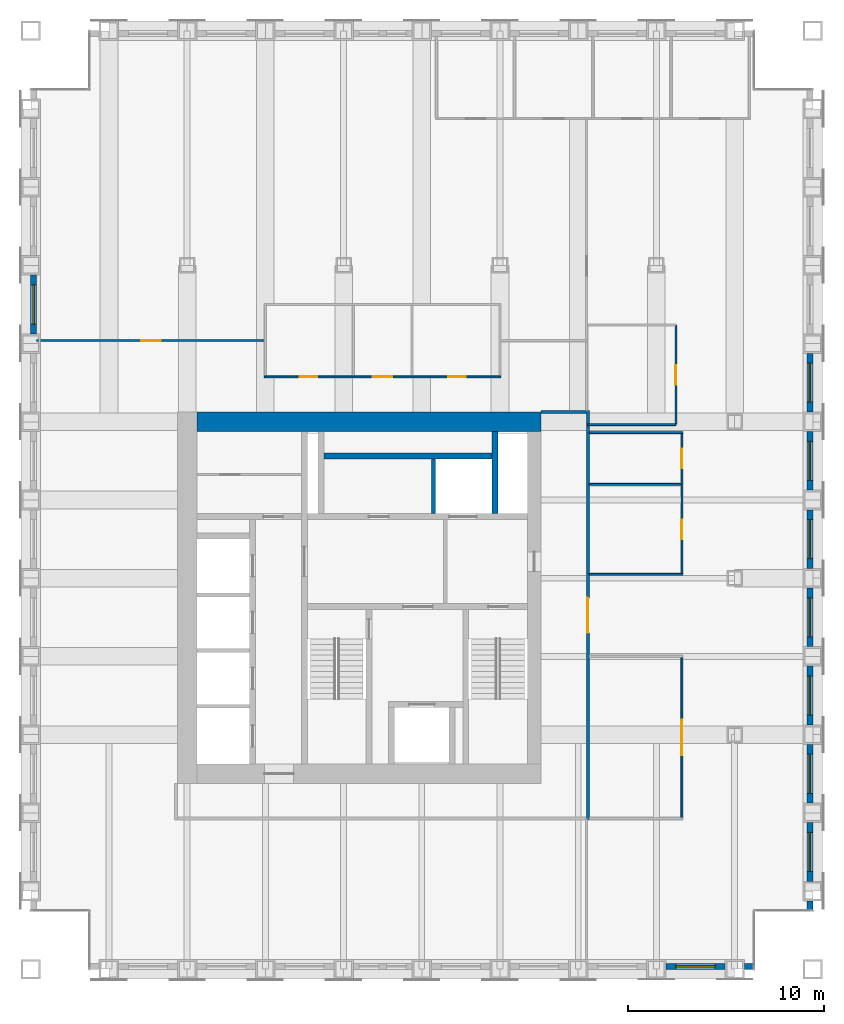
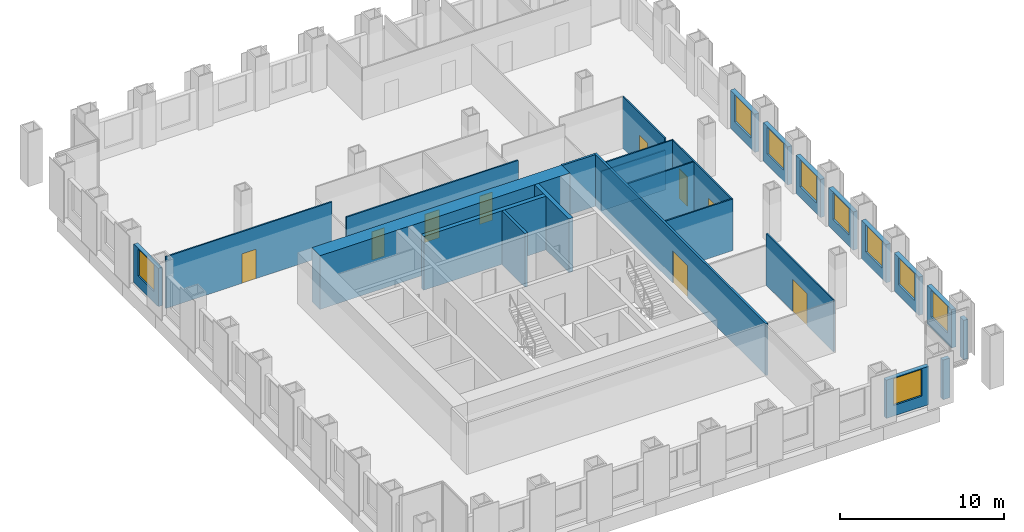
# One storey, part 10 of 13: 26 walls, 9 doors, 9 windows, 18 openings.
"""IFC4 building model written with IfcOpenShell, lengths in metres."""

from ifc_helpers import new_model, si_unit, direction, frame, frame_2d, origin, place, context, subcontext, project, spatial, rectangle, extrude, material, layer, layer_set, type_object, element, fill, save


model = new_model("IFC4")

# Units and contexts
model_context = context("Model", 3, precision=1e-05, world=origin(), true_north=direction((0.0, 1.0)))
body_context = subcontext(model_context, "Body", "Model", "MODEL_VIEW")
ifc_project = project(units=[si_unit("LENGTHUNIT", "METRE"), si_unit("AREAUNIT", "SQUARE_METRE"), si_unit("VOLUMEUNIT", "CUBIC_METRE"), si_unit("PLANEANGLEUNIT", "RADIAN"), si_unit("MASSUNIT", "GRAM", prefix="KILO")], contexts=[model_context])

# Site, building, storey
site_placement = place(None, origin())
site = spatial("IfcSite", under=ifc_project, at=site_placement, CompositionType="ELEMENT")
building_placement = place(site_placement, origin())
building = spatial("IfcBuilding", under=site, at=building_placement, Name="Rimbunsela Tower", CompositionType="ELEMENT")
storey_placement = place(building_placement, frame((0.0, 0.0, 218.199951171875)))
storey = spatial("IfcBuildingStorey", under=building, at=storey_placement, Name="L52", CompositionType="ELEMENT", Elevation=218.199951171875)

# Walls
ifc_material_1 = material(Name="Concrete fc' 80 MPa", Category="concrete")
ifc_layer_1 = layer(ifc_material_1, 0.300048828125)
ifc_layer_set_1 = layer_set([ifc_layer_1], Name="Core internal wall 300")
wall_type_1 = type_object("IfcWallType", Name="Core internal wall 300", PredefinedType="SHEAR", material=ifc_layer_set_1)
wall_1_placement = place(storey_placement, frame((33.75, 31.300048828125, -0.14990234375), z_axis=(0.0, 0.0, 1.0), x_axis=(0.0, 1.0, 0.0)))
element("IfcWall", 1, at=wall_1_placement, inside=storey, type_object=wall_type_1, Name="Riser wall", PredefinedType="SHEAR", context=body_context, shape_type="SweptSolid", body=[
    extrude(rectangle(XDim=4.199951171875, YDim=0.300048828125, at=frame_2d((2.10009765625, 0.0))), origin(), (0.0, 0.0, 1.0), 4.0),
])
wall_2_placement = place(storey_placement, frame((25.0, 34.25, -0.14990234375), z_axis=(0.0, 0.0, 1.0), x_axis=(1.0, 0.0, 0.0)))
element("IfcWall", 2, at=wall_2_placement, inside=storey, type_object=wall_type_1, Name="Lift shaft rear north", PredefinedType="SHEAR", context=body_context, shape_type="SweptSolid", body=[
    extrude(rectangle(XDim=8.60009765625, YDim=0.300048828125, at=frame_2d((4.300048828125, 0.0))), origin(), (0.0, 0.0, 1.0), 4.0),
])
ifc_material_2 = material(Name="Concrete fc' 80 MPa", Category="concrete")
ifc_layer_2 = layer(ifc_material_2, 1.0)
ifc_layer_set_2 = layer_set([ifc_layer_2], Name="Core wall 1000")
wall_type_2 = type_object("IfcWallType", Name="Core wall 1000", PredefinedType="SHEAR", material=ifc_layer_set_2)
wall_3_placement = place(storey_placement, frame((18.5, 36.0, -0.14990234375), z_axis=(0.0, 0.0, 1.0), x_axis=(1.0, 0.0, 0.0)))
element("IfcWall", 3, at=wall_3_placement, inside=storey, type_object=wall_type_2, Name="Core wall north", PredefinedType="SHEAR", context=body_context, shape_type="SweptSolid", body=[
    extrude(rectangle(XDim=17.60009765625, YDim=1.0, at=frame_2d((8.800048828125, 0.0))), origin(), (0.0, 0.0, 1.0), 4.0),
])
ifc_material_3 = material(Name="Concrete blockwork", Category="masonry")
ifc_layer_3 = layer(ifc_material_3, 0.199951171875)
ifc_layer_set_3 = layer_set([ifc_layer_3], Name="Lift shaft wall 200")
wall_type_3 = type_object("IfcWallType", Name="Lift shaft wall 200", PredefinedType="SOLIDWALL", material=ifc_layer_set_3)
wall_4_placement = place(storey_placement, frame((30.60009765625, 31.300048828125, -0.14990234375), z_axis=(0.0, 0.0, 1.0), x_axis=(0.0, 1.0, 0.0)))
element("IfcWall", 4, at=wall_4_placement, inside=storey, type_object=wall_type_3, Name="Lift shaft separation", PredefinedType="SOLIDWALL", context=body_context, shape_type="SweptSolid", body=[
    extrude(rectangle(XDim=2.800048828125, YDim=0.199951171875, at=frame_2d((1.39990234375, 0.0))), origin(), (0.0, 0.0, 1.0), 4.0),
])
ifc_material_4 = material(Name="Gypsum board on steel studs", Category="steel")
ifc_layer_4 = layer(ifc_material_4, 0.10009765625)
ifc_layer_set_4 = layer_set([ifc_layer_4], Name="Office partition 100")
wall_type_4 = type_object("IfcWallType", Name="Office partition 100", PredefinedType="PARTITIONING", material=ifc_layer_set_4)
wall_5_placement = place(storey_placement, frame((38.574951171875, 28.199951171875, 0.0), z_axis=(0.0, 0.0, 1.0), x_axis=(1.0, 0.0, 0.0)))
element("IfcWall", 5, at=wall_5_placement, inside=storey, type_object=wall_type_4, Name="Office partition", PredefinedType="PARTITIONING", context=body_context, shape_type="SweptSolid", body=[
    extrude(rectangle(XDim=4.775146484375, YDim=0.10009765625, at=frame_2d((2.3876953125, 0.0))), origin(), (0.0, 0.0, 1.0), 3.85009765625),
])
wall_6_placement = place(storey_placement, frame((38.574951171875, 32.800048828125, 0.0), z_axis=(0.0, 0.0, 1.0), x_axis=(1.0, 0.0, 0.0)))
element("IfcWall", 6, at=wall_6_placement, inside=storey, type_object=wall_type_4, Name="Office partition", PredefinedType="PARTITIONING", context=body_context, shape_type="SweptSolid", body=[
    extrude(rectangle(XDim=4.675048828125, YDim=0.10009765625, at=frame_2d((2.33740234375, 0.0))), origin(), (0.0, 0.0, 1.0), 3.85009765625),
])
wall_7_placement = place(storey_placement, frame((38.574951171875, 35.449951171875, 0.0), z_axis=(0.0, 0.0, 1.0), x_axis=(1.0, 0.0, 0.0)))
element("IfcWall", 7, at=wall_7_placement, inside=storey, type_object=wall_type_4, Name="Office partition", PredefinedType="PARTITIONING", context=body_context, shape_type="SweptSolid", body=[
    extrude(rectangle(XDim=4.775146484375, YDim=0.10009765625, at=frame_2d((2.3876953125, 0.0))), origin(), (0.0, 0.0, 1.0), 3.85009765625),
])

# Wall, opening, door
wall_8_placement = place(storey_placement, frame((43.300048828125, 15.75, 0.0), z_axis=(0.0, 0.0, 1.0), x_axis=(0.0, 1.0, 0.0)))
wall_8 = element("IfcWall", 8, at=wall_8_placement, inside=storey, type_object=wall_type_4, Name="Office partition", PredefinedType="PARTITIONING", context=body_context, shape_type="SweptSolid", body=[
    extrude(rectangle(XDim=8.199951171875, YDim=0.10009765625, at=frame_2d((4.10009765625, 0.0))), origin(), (0.0, 0.0, 1.0), 3.85009765625),
])
opening_1_placement = place(wall_8_placement, frame((3.199951171875, 0.0, 0.0)))
opening_1 = element("IfcOpeningElement", 9, at=opening_1_placement, cuts=wall_8, Name="Opening D18", PredefinedType="OPENING", context=body_context, shape_type="SweptSolid", body=[
    extrude(rectangle(XDim=1.800048828125, YDim=2.39990234375, at=frame_2d((0.89990234375, 1.199951171875))), frame((0.0, 0.06005859375, 0.0), z_axis=(0.0, -1.0, 0.0), x_axis=(1.0, 0.0, 0.0)), (0.0, 0.0, 1.0), 0.1201171875),
])
ifc_material_5 = material(Name="Glazed aluminium door", Category="aluminium")
door_type_1 = type_object("IfcDoorType", Name="Boardroom door 1800 glazed", OperationType="DOUBLE_DOOR_DOUBLE_SWING", PredefinedType="DOOR", material=ifc_material_5)
door_1_placement = place(opening_1_placement, origin())
door_1 = element("IfcDoor", 10, at=door_1_placement, inside=storey, type_object=door_type_1, Name="Boardroom door", OperationType="DOUBLE_DOOR_DOUBLE_SWING", OverallHeight=2.39990234375, OverallWidth=1.800048828125, PredefinedType="DOOR", context=body_context, shape_type="SweptSolid", body=[
    extrude(rectangle(XDim=1.800048828125, YDim=2.39990234375, at=frame_2d((0.89990234375, 1.199951171875))), frame((0.0, 0.02490234375, 0.0), z_axis=(0.0, -1.0, 0.0), x_axis=(1.0, 0.0, 0.0)), (0.0, 0.0, 1.0), 0.050048828125),
])
fill(opening_1, door_1)

# Wall, openings, doors
wall_9_placement = place(storey_placement, frame((43.300048828125, 28.25, 0.0), z_axis=(0.0, 0.0, 1.0), x_axis=(0.0, 1.0, 0.0)))
wall_9 = element("IfcWall", 11, at=wall_9_placement, inside=storey, type_object=wall_type_4, Name="Office partition", PredefinedType="PARTITIONING", context=body_context, shape_type="SweptSolid", body=[
    extrude(rectangle(XDim=7.14990234375, YDim=0.10009765625, at=frame_2d((3.574951171875, 0.0))), origin(), (0.0, 0.0, 1.0), 3.85009765625),
])
opening_2_placement = place(wall_9_placement, frame((1.75, 0.0, 0.0)))
opening_2 = element("IfcOpeningElement", 12, at=opening_2_placement, cuts=wall_9, Name="Opening D16", PredefinedType="OPENING", context=body_context, shape_type="SweptSolid", body=[
    extrude(rectangle(XDim=1.0, YDim=2.199951171875, at=frame_2d((0.5, 1.10009765625))), frame((0.0, 0.06005859375, 0.0), z_axis=(0.0, -1.0, 0.0), x_axis=(1.0, 0.0, 0.0)), (0.0, 0.0, 1.0), 0.1201171875),
])
opening_3_placement = place(wall_9_placement, frame((5.375, 0.0, 0.0)))
opening_3 = element("IfcOpeningElement", 13, at=opening_3_placement, cuts=wall_9, Name="Opening D16", PredefinedType="OPENING", context=body_context, shape_type="SweptSolid", body=[
    extrude(rectangle(XDim=1.0, YDim=2.199951171875, at=frame_2d((0.5, 1.10009765625))), frame((0.0, 0.06005859375, 0.0), z_axis=(0.0, -1.0, 0.0), x_axis=(1.0, 0.0, 0.0)), (0.0, 0.0, 1.0), 0.1201171875),
])
ifc_material_6 = material(Name="Timber door", Category="wood")
door_type_2 = type_object("IfcDoorType", Name="Office door 1000", OperationType="SINGLE_SWING_LEFT", PredefinedType="DOOR", material=ifc_material_6)
door_2_placement = place(opening_2_placement, origin())
door_2 = element("IfcDoor", 14, at=door_2_placement, inside=storey, type_object=door_type_2, Name="Office door", OperationType="SINGLE_SWING_LEFT", OverallHeight=2.199951171875, OverallWidth=1.0, PredefinedType="DOOR", context=body_context, shape_type="SweptSolid", body=[
    extrude(rectangle(XDim=1.0, YDim=2.199951171875, at=frame_2d((0.5, 1.10009765625))), frame((0.0, 0.02490234375, 0.0), z_axis=(0.0, -1.0, 0.0), x_axis=(1.0, 0.0, 0.0)), (0.0, 0.0, 1.0), 0.050048828125),
])
fill(opening_2, door_2)
door_3_placement = place(opening_3_placement, origin())
door_3 = element("IfcDoor", 15, at=door_3_placement, inside=storey, type_object=door_type_2, Name="Office door", OperationType="SINGLE_SWING_LEFT", OverallHeight=2.199951171875, OverallWidth=1.0, PredefinedType="DOOR", context=body_context, shape_type="SweptSolid", body=[
    extrude(rectangle(XDim=1.0, YDim=2.199951171875, at=frame_2d((0.5, 1.10009765625))), frame((0.0, 0.02490234375, 0.0), z_axis=(0.0, -1.0, 0.0), x_axis=(1.0, 0.0, 0.0)), (0.0, 0.0, 1.0), 0.050048828125),
])
fill(opening_3, door_3)

# Wall, opening, door
wall_10_placement = place(storey_placement, frame((10.300048828125, 40.14990234375, 0.0), z_axis=(0.0, 0.0, 1.0), x_axis=(1.0, 0.0, 0.0)))
wall_10 = element("IfcWall", 16, at=wall_10_placement, inside=storey, type_object=wall_type_4, Name="Office partition", PredefinedType="PARTITIONING", context=body_context, shape_type="SweptSolid", body=[
    extrude(rectangle(XDim=11.699951171875, YDim=0.10009765625, at=frame_2d((5.85009765625, 0.0))), origin(), (0.0, 0.0, 1.0), 3.85009765625),
])
opening_4_placement = place(wall_10_placement, frame((5.35009765625, 0.0, 0.0)))
opening_4 = element("IfcOpeningElement", 17, at=opening_4_placement, cuts=wall_10, Name="Opening D17", PredefinedType="OPENING", context=body_context, shape_type="SweptSolid", body=[
    extrude(rectangle(XDim=1.0, YDim=2.199951171875, at=frame_2d((0.5, 1.10009765625))), frame((0.0, 0.06005859375, 0.0), z_axis=(0.0, -1.0, 0.0), x_axis=(1.0, 0.0, 0.0)), (0.0, 0.0, 1.0), 0.1201171875),
])
ifc_material_7 = material(Name="Glazed aluminium door", Category="aluminium")
door_type_3 = type_object("IfcDoorType", Name="Meeting room door 1000 glazed", OperationType="SINGLE_SWING_RIGHT", PredefinedType="DOOR", material=ifc_material_7)
door_4_placement = place(opening_4_placement, origin())
door_4 = element("IfcDoor", 18, at=door_4_placement, inside=storey, type_object=door_type_3, Name="Open office screen door", OperationType="SINGLE_SWING_RIGHT", OverallHeight=2.199951171875, OverallWidth=1.0, PredefinedType="DOOR", context=body_context, shape_type="SweptSolid", body=[
    extrude(rectangle(XDim=1.0, YDim=2.199951171875, at=frame_2d((0.5, 1.10009765625))), frame((0.0, 0.02490234375, 0.0), z_axis=(0.0, -1.0, 0.0), x_axis=(1.0, 0.0, 0.0)), (0.0, 0.0, 1.0), 0.050048828125),
])
fill(opening_4, door_4)

# Wall
wall_11_placement = place(storey_placement, frame((38.5, 35.85009765625, 0.0), z_axis=(0.0, 0.0, 1.0), x_axis=(1.0, 0.0, 0.0)))
element("IfcWall", 19, at=wall_11_placement, inside=storey, type_object=wall_type_4, Name="Office partition", PredefinedType="PARTITIONING", context=body_context, shape_type="SweptSolid", body=[
    extrude(rectangle(XDim=4.5, YDim=0.10009765625, at=frame_2d((2.25, 0.0))), origin(), (0.0, 0.0, 1.0), 2.949951171875),
])

# Wall, opening, door
wall_12_placement = place(storey_placement, frame((43.0, 35.85009765625, 0.0), z_axis=(0.0, 0.0, 1.0), x_axis=(0.0, 1.0, 0.0)))
wall_12 = element("IfcWall", 20, at=wall_12_placement, inside=storey, type_object=wall_type_4, Name="Office partition", PredefinedType="PARTITIONING", context=body_context, shape_type="SweptSolid", body=[
    extrude(rectangle(XDim=5.099853515625, YDim=0.10009765625, at=frame_2d((2.5498046875, 0.0))), origin(), (0.0, 0.0, 1.0), 3.85009765625),
])
opening_5_placement = place(wall_12_placement, frame((2.050048828125, 0.0, 0.0)))
opening_5 = element("IfcOpeningElement", 21, at=opening_5_placement, cuts=wall_12, Name="Opening D17", PredefinedType="OPENING", context=body_context, shape_type="SweptSolid", body=[
    extrude(rectangle(XDim=1.0, YDim=2.199951171875, at=frame_2d((0.5, 1.10009765625))), frame((0.0, 0.06005859375, 0.0), z_axis=(0.0, -1.0, 0.0), x_axis=(1.0, 0.0, 0.0)), (0.0, 0.0, 1.0), 0.1201171875),
])
door_5_placement = place(opening_5_placement, origin())
door_5 = element("IfcDoor", 22, at=door_5_placement, inside=storey, type_object=door_type_3, Name="Reception door", OperationType="SINGLE_SWING_RIGHT", OverallHeight=2.199951171875, OverallWidth=1.0, PredefinedType="DOOR", context=body_context, shape_type="SweptSolid", body=[
    extrude(rectangle(XDim=1.0, YDim=2.199951171875, at=frame_2d((0.5, 1.10009765625))), frame((0.0, 0.02490234375, 0.0), z_axis=(0.0, -1.0, 0.0), x_axis=(1.0, 0.0, 0.0)), (0.0, 0.0, 1.0), 0.050048828125),
])
fill(opening_5, door_5)

# Wall, opening, window
ifc_material_8 = material(Name="Precast concrete fc' 35 MPa", Category="concrete")
ifc_layer_5 = layer(ifc_material_8, 0.300048828125)
ifc_layer_set_5 = layer_set([ifc_layer_5], Name="Precast concrete fc' 35 MPa")
wall_type_5 = type_object("IfcWallType", Name="Precast facade panel 300", PredefinedType="ELEMENTEDWALL", material=ifc_layer_set_5)
wall_13_placement = place(storey_placement, frame((42.5, 8.14990234375, 0.0), z_axis=(0.0, 0.0, 1.0), x_axis=(1.0, 0.0, 0.0)))
wall_13 = element("IfcWall", 23, at=wall_13_placement, inside=storey, type_object=wall_type_5, Name="Facade panel S L52", PredefinedType="ELEMENTEDWALL", context=body_context, shape_type="SweptSolid", body=[
    extrude(rectangle(XDim=3.0, YDim=0.300048828125, at=frame_2d((1.5, 0.0))), origin(), (0.0, 0.0, 1.0), 2.85009765625),
])
opening_6_placement = place(wall_13_placement, frame((0.5, 0.0, 0.800048828125)))
opening_6 = element("IfcOpeningElement", 24, at=opening_6_placement, cuts=wall_13, Name="Opening W1", PredefinedType="OPENING", context=body_context, shape_type="SweptSolid", body=[
    extrude(rectangle(XDim=2.0, YDim=2.0, at=frame_2d((1.0, 1.0))), frame((0.0, 0.159912109375, 0.0), z_axis=(0.0, -1.0, 0.0), x_axis=(1.0, 0.0, 0.0)), (0.0, 0.0, 1.0), 0.320068359375),
])
ifc_material_9 = material(Name="Clear glass in aluminium frame", Category="aluminium")
window_type = type_object("IfcWindowType", Name="Window W1 2000x2000", PartitioningType="DOUBLE_PANEL_VERTICAL", PredefinedType="WINDOW", material=ifc_material_9)
window_1_placement = place(opening_6_placement, origin())
window_1 = element("IfcWindow", 25, at=window_1_placement, inside=storey, type_object=window_type, Name="Window L52", OverallHeight=2.0, OverallWidth=2.0, PartitioningType="SINGLE_PANEL", PredefinedType="WINDOW", context=body_context, shape_type="SweptSolid", body=[
    extrude(rectangle(XDim=2.0, YDim=2.0, at=frame_2d((1.0, 1.0))), frame((0.0, 0.030029296875, 0.0), z_axis=(0.0, -1.0, 0.0), x_axis=(1.0, 0.0, 0.0)), (0.0, 0.0, 1.0), 0.06005859375),
])
fill(opening_6, window_1)

# Walls
for number, where, z_axis, x_axis, name in (
    (26, (46.5, 8.14990234375, 0.0), (0.0, 0.0, 1.0), (1.0, 0.0, 0.0), "Facade panel S L52"),
    (27, (49.85009765625, 11.030029296875, 0.0), (0.0, 0.0, 1.0), (0.0, 1.0, 0.0), "Facade panel E L52"),
):
    element("IfcWall", number, at=place(storey_placement, frame(where, z_axis=z_axis, x_axis=x_axis)), inside=storey, type_object=wall_type_5, Name=name, PredefinedType="ELEMENTEDWALL", context=body_context, shape_type="SweptSolid", body=[
        extrude(rectangle(XDim=0.469970703125, YDim=0.300048828125, at=frame_2d((0.23486328125, 0.0))), origin(), (0.0, 0.0, 1.0), 2.949951171875),
    ])

# Wall, opening, window
wall_14_placement = place(storey_placement, frame((49.85009765625, 12.5, 0.0), z_axis=(0.0, 0.0, 1.0), x_axis=(0.0, 1.0, 0.0)))
wall_14 = element("IfcWall", 28, at=wall_14_placement, inside=storey, type_object=wall_type_5, Name="Facade panel E L52", PredefinedType="ELEMENTEDWALL", context=body_context, shape_type="SweptSolid", body=[
    extrude(rectangle(XDim=3.0, YDim=0.300048828125, at=frame_2d((1.5, 0.0))), origin(), (0.0, 0.0, 1.0), 2.85009765625),
])
opening_7_placement = place(wall_14_placement, frame((0.5, 0.0, 0.800048828125)))
opening_7 = element("IfcOpeningElement", 29, at=opening_7_placement, cuts=wall_14, Name="Opening W1", PredefinedType="OPENING", context=body_context, shape_type="SweptSolid", body=[
    extrude(rectangle(XDim=2.0, YDim=2.0, at=frame_2d((1.0, 1.0))), frame((0.0, 0.159912109375, 0.0), z_axis=(0.0, -1.0, 0.0), x_axis=(1.0, 0.0, 0.0)), (0.0, 0.0, 1.0), 0.320068359375),
])
window_2_placement = place(opening_7_placement, origin())
window_2 = element("IfcWindow", 30, at=window_2_placement, inside=storey, type_object=window_type, Name="Window L52", OverallHeight=2.0, OverallWidth=2.0, PartitioningType="SINGLE_PANEL", PredefinedType="WINDOW", context=body_context, shape_type="SweptSolid", body=[
    extrude(rectangle(XDim=2.0, YDim=2.0, at=frame_2d((1.0, 1.0))), frame((0.0, 0.030029296875, 0.0), z_axis=(0.0, -1.0, 0.0), x_axis=(1.0, 0.0, 0.0)), (0.0, 0.0, 1.0), 0.06005859375),
])
fill(opening_7, window_2)

wall_15_placement = place(storey_placement, frame((49.85009765625, 16.5, 0.0), z_axis=(0.0, 0.0, 1.0), x_axis=(0.0, 1.0, 0.0)))
wall_15 = element("IfcWall", 31, at=wall_15_placement, inside=storey, type_object=wall_type_5, Name="Facade panel E L52", PredefinedType="ELEMENTEDWALL", context=body_context, shape_type="SweptSolid", body=[
    extrude(rectangle(XDim=3.0, YDim=0.300048828125, at=frame_2d((1.5, 0.0))), origin(), (0.0, 0.0, 1.0), 2.85009765625),
])
opening_8_placement = place(wall_15_placement, frame((0.5, 0.0, 0.800048828125)))
opening_8 = element("IfcOpeningElement", 32, at=opening_8_placement, cuts=wall_15, Name="Opening W1", PredefinedType="OPENING", context=body_context, shape_type="SweptSolid", body=[
    extrude(rectangle(XDim=2.0, YDim=2.0, at=frame_2d((1.0, 1.0))), frame((0.0, 0.159912109375, 0.0), z_axis=(0.0, -1.0, 0.0), x_axis=(1.0, 0.0, 0.0)), (0.0, 0.0, 1.0), 0.320068359375),
])
window_3_placement = place(opening_8_placement, origin())
window_3 = element("IfcWindow", 33, at=window_3_placement, inside=storey, type_object=window_type, Name="Window L52", OverallHeight=2.0, OverallWidth=2.0, PartitioningType="SINGLE_PANEL", PredefinedType="WINDOW", context=body_context, shape_type="SweptSolid", body=[
    extrude(rectangle(XDim=2.0, YDim=2.0, at=frame_2d((1.0, 1.0))), frame((0.0, 0.030029296875, 0.0), z_axis=(0.0, -1.0, 0.0), x_axis=(1.0, 0.0, 0.0)), (0.0, 0.0, 1.0), 0.06005859375),
])
fill(opening_8, window_3)

wall_16_placement = place(storey_placement, frame((49.85009765625, 20.5, 0.0), z_axis=(0.0, 0.0, 1.0), x_axis=(0.0, 1.0, 0.0)))
wall_16 = element("IfcWall", 34, at=wall_16_placement, inside=storey, type_object=wall_type_5, Name="Facade panel E L52", PredefinedType="ELEMENTEDWALL", context=body_context, shape_type="SweptSolid", body=[
    extrude(rectangle(XDim=3.0, YDim=0.300048828125, at=frame_2d((1.5, 0.0))), origin(), (0.0, 0.0, 1.0), 2.85009765625),
])
opening_9_placement = place(wall_16_placement, frame((0.5, 0.0, 0.800048828125)))
opening_9 = element("IfcOpeningElement", 35, at=opening_9_placement, cuts=wall_16, Name="Opening W1", PredefinedType="OPENING", context=body_context, shape_type="SweptSolid", body=[
    extrude(rectangle(XDim=2.0, YDim=2.0, at=frame_2d((1.0, 1.0))), frame((0.0, 0.159912109375, 0.0), z_axis=(0.0, -1.0, 0.0), x_axis=(1.0, 0.0, 0.0)), (0.0, 0.0, 1.0), 0.320068359375),
])
window_4_placement = place(opening_9_placement, origin())
window_4 = element("IfcWindow", 36, at=window_4_placement, inside=storey, type_object=window_type, Name="Window L52", OverallHeight=2.0, OverallWidth=2.0, PartitioningType="SINGLE_PANEL", PredefinedType="WINDOW", context=body_context, shape_type="SweptSolid", body=[
    extrude(rectangle(XDim=2.0, YDim=2.0, at=frame_2d((1.0, 1.0))), frame((0.0, 0.030029296875, 0.0), z_axis=(0.0, -1.0, 0.0), x_axis=(1.0, 0.0, 0.0)), (0.0, 0.0, 1.0), 0.06005859375),
])
fill(opening_9, window_4)

wall_17_placement = place(storey_placement, frame((49.85009765625, 24.5, 0.0), z_axis=(0.0, 0.0, 1.0), x_axis=(0.0, 1.0, 0.0)))
wall_17 = element("IfcWall", 37, at=wall_17_placement, inside=storey, type_object=wall_type_5, Name="Facade panel E L52", PredefinedType="ELEMENTEDWALL", context=body_context, shape_type="SweptSolid", body=[
    extrude(rectangle(XDim=3.0, YDim=0.300048828125, at=frame_2d((1.5, 0.0))), origin(), (0.0, 0.0, 1.0), 2.85009765625),
])
opening_10_placement = place(wall_17_placement, frame((0.5, 0.0, 0.800048828125)))
opening_10 = element("IfcOpeningElement", 38, at=opening_10_placement, cuts=wall_17, Name="Opening W1", PredefinedType="OPENING", context=body_context, shape_type="SweptSolid", body=[
    extrude(rectangle(XDim=2.0, YDim=2.0, at=frame_2d((1.0, 1.0))), frame((0.0, 0.159912109375, 0.0), z_axis=(0.0, -1.0, 0.0), x_axis=(1.0, 0.0, 0.0)), (0.0, 0.0, 1.0), 0.320068359375),
])
window_5_placement = place(opening_10_placement, origin())
window_5 = element("IfcWindow", 39, at=window_5_placement, inside=storey, type_object=window_type, Name="Window L52", OverallHeight=2.0, OverallWidth=2.0, PartitioningType="SINGLE_PANEL", PredefinedType="WINDOW", context=body_context, shape_type="SweptSolid", body=[
    extrude(rectangle(XDim=2.0, YDim=2.0, at=frame_2d((1.0, 1.0))), frame((0.0, 0.030029296875, 0.0), z_axis=(0.0, -1.0, 0.0), x_axis=(1.0, 0.0, 0.0)), (0.0, 0.0, 1.0), 0.06005859375),
])
fill(opening_10, window_5)

wall_18_placement = place(storey_placement, frame((49.85009765625, 28.5, 0.0), z_axis=(0.0, 0.0, 1.0), x_axis=(0.0, 1.0, 0.0)))
wall_18 = element("IfcWall", 40, at=wall_18_placement, inside=storey, type_object=wall_type_5, Name="Facade panel E L52", PredefinedType="ELEMENTEDWALL", context=body_context, shape_type="SweptSolid", body=[
    extrude(rectangle(XDim=3.0, YDim=0.300048828125, at=frame_2d((1.5, 0.0))), origin(), (0.0, 0.0, 1.0), 2.85009765625),
])
opening_11_placement = place(wall_18_placement, frame((0.5, 0.0, 0.800048828125)))
opening_11 = element("IfcOpeningElement", 41, at=opening_11_placement, cuts=wall_18, Name="Opening W1", PredefinedType="OPENING", context=body_context, shape_type="SweptSolid", body=[
    extrude(rectangle(XDim=2.0, YDim=2.0, at=frame_2d((1.0, 1.0))), frame((0.0, 0.159912109375, 0.0), z_axis=(0.0, -1.0, 0.0), x_axis=(1.0, 0.0, 0.0)), (0.0, 0.0, 1.0), 0.320068359375),
])
window_6_placement = place(opening_11_placement, origin())
window_6 = element("IfcWindow", 42, at=window_6_placement, inside=storey, type_object=window_type, Name="Window L52", OverallHeight=2.0, OverallWidth=2.0, PartitioningType="SINGLE_PANEL", PredefinedType="WINDOW", context=body_context, shape_type="SweptSolid", body=[
    extrude(rectangle(XDim=2.0, YDim=2.0, at=frame_2d((1.0, 1.0))), frame((0.0, 0.030029296875, 0.0), z_axis=(0.0, -1.0, 0.0), x_axis=(1.0, 0.0, 0.0)), (0.0, 0.0, 1.0), 0.06005859375),
])
fill(opening_11, window_6)

wall_19_placement = place(storey_placement, frame((49.85009765625, 32.5, 0.0), z_axis=(0.0, 0.0, 1.0), x_axis=(0.0, 1.0, 0.0)))
wall_19 = element("IfcWall", 43, at=wall_19_placement, inside=storey, type_object=wall_type_5, Name="Facade panel E L52", PredefinedType="ELEMENTEDWALL", context=body_context, shape_type="SweptSolid", body=[
    extrude(rectangle(XDim=3.0, YDim=0.300048828125, at=frame_2d((1.5, 0.0))), origin(), (0.0, 0.0, 1.0), 2.85009765625),
])
opening_12_placement = place(wall_19_placement, frame((0.5, 0.0, 0.800048828125)))
opening_12 = element("IfcOpeningElement", 44, at=opening_12_placement, cuts=wall_19, Name="Opening W1", PredefinedType="OPENING", context=body_context, shape_type="SweptSolid", body=[
    extrude(rectangle(XDim=2.0, YDim=2.0, at=frame_2d((1.0, 1.0))), frame((0.0, 0.159912109375, 0.0), z_axis=(0.0, -1.0, 0.0), x_axis=(1.0, 0.0, 0.0)), (0.0, 0.0, 1.0), 0.320068359375),
])
window_7_placement = place(opening_12_placement, origin())
window_7 = element("IfcWindow", 45, at=window_7_placement, inside=storey, type_object=window_type, Name="Window L52", OverallHeight=2.0, OverallWidth=2.0, PartitioningType="SINGLE_PANEL", PredefinedType="WINDOW", context=body_context, shape_type="SweptSolid", body=[
    extrude(rectangle(XDim=2.0, YDim=2.0, at=frame_2d((1.0, 1.0))), frame((0.0, 0.030029296875, 0.0), z_axis=(0.0, -1.0, 0.0), x_axis=(1.0, 0.0, 0.0)), (0.0, 0.0, 1.0), 0.06005859375),
])
fill(opening_12, window_7)

wall_20_placement = place(storey_placement, frame((49.85009765625, 36.5, 0.0), z_axis=(0.0, 0.0, 1.0), x_axis=(0.0, 1.0, 0.0)))
wall_20 = element("IfcWall", 46, at=wall_20_placement, inside=storey, type_object=wall_type_5, Name="Facade panel E L52", PredefinedType="ELEMENTEDWALL", context=body_context, shape_type="SweptSolid", body=[
    extrude(rectangle(XDim=3.0, YDim=0.300048828125, at=frame_2d((1.5, 0.0))), origin(), (0.0, 0.0, 1.0), 2.85009765625),
])
opening_13_placement = place(wall_20_placement, frame((0.5, 0.0, 0.800048828125)))
opening_13 = element("IfcOpeningElement", 47, at=opening_13_placement, cuts=wall_20, Name="Opening W1", PredefinedType="OPENING", context=body_context, shape_type="SweptSolid", body=[
    extrude(rectangle(XDim=2.0, YDim=2.0, at=frame_2d((1.0, 1.0))), frame((0.0, 0.159912109375, 0.0), z_axis=(0.0, -1.0, 0.0), x_axis=(1.0, 0.0, 0.0)), (0.0, 0.0, 1.0), 0.320068359375),
])
window_8_placement = place(opening_13_placement, origin())
window_8 = element("IfcWindow", 48, at=window_8_placement, inside=storey, type_object=window_type, Name="Window L52", OverallHeight=2.0, OverallWidth=2.0, PartitioningType="SINGLE_PANEL", PredefinedType="WINDOW", context=body_context, shape_type="SweptSolid", body=[
    extrude(rectangle(XDim=2.0, YDim=2.0, at=frame_2d((1.0, 1.0))), frame((0.0, 0.030029296875, 0.0), z_axis=(0.0, -1.0, 0.0), x_axis=(1.0, 0.0, 0.0)), (0.0, 0.0, 1.0), 0.06005859375),
])
fill(opening_13, window_8)

wall_21_placement = place(storey_placement, frame((10.14990234375, 43.5, 0.0), z_axis=(0.0, 0.0, 1.0), x_axis=(0.0, -1.0, 0.0)))
wall_21 = element("IfcWall", 49, at=wall_21_placement, inside=storey, type_object=wall_type_5, Name="Facade panel W L52", PredefinedType="ELEMENTEDWALL", context=body_context, shape_type="SweptSolid", body=[
    extrude(rectangle(XDim=3.0, YDim=0.300048828125, at=frame_2d((1.5, 0.0))), origin(), (0.0, 0.0, 1.0), 2.85009765625),
])
opening_14_placement = place(wall_21_placement, frame((0.5, 0.0, 0.800048828125)))
opening_14 = element("IfcOpeningElement", 50, at=opening_14_placement, cuts=wall_21, Name="Opening W1", PredefinedType="OPENING", context=body_context, shape_type="SweptSolid", body=[
    extrude(rectangle(XDim=2.0, YDim=2.0, at=frame_2d((1.0, 1.0))), frame((0.0, 0.159912109375, 0.0), z_axis=(0.0, -1.0, 0.0), x_axis=(1.0, 0.0, 0.0)), (0.0, 0.0, 1.0), 0.320068359375),
])
window_9_placement = place(opening_14_placement, origin())
window_9 = element("IfcWindow", 51, at=window_9_placement, inside=storey, type_object=window_type, Name="Window L52", OverallHeight=2.0, OverallWidth=2.0, PartitioningType="SINGLE_PANEL", PredefinedType="WINDOW", context=body_context, shape_type="SweptSolid", body=[
    extrude(rectangle(XDim=2.0, YDim=2.0, at=frame_2d((1.0, 1.0))), frame((0.0, 0.030029296875, 0.0), z_axis=(0.0, -1.0, 0.0), x_axis=(1.0, 0.0, 0.0)), (0.0, 0.0, 1.0), 0.06005859375),
])
fill(opening_14, window_9)

# Wall, opening, door
ifc_material_10 = material(Name="Fire-rated gypsum board on steel studs, EI 60", Category="steel")
ifc_layer_6 = layer(ifc_material_10, 0.14990234375)
ifc_layer_set_6 = layer_set([ifc_layer_6], Name="Rated corridor wall 150")
wall_type_6 = type_object("IfcWallType", Name="Rated corridor wall 150", PredefinedType="PARTITIONING", material=ifc_layer_set_6)
wall_22_placement = place(storey_placement, frame((38.5, 15.625, 0.0), z_axis=(0.0, 0.0, 1.0), x_axis=(0.0, 1.0, 0.0)))
wall_22 = element("IfcWall", 52, at=wall_22_placement, inside=storey, type_object=wall_type_6, Name="Corridor wall east", PredefinedType="PARTITIONING", context=body_context, shape_type="SweptSolid", body=[
    extrude(rectangle(XDim=20.949951171875, YDim=0.14990234375, at=frame_2d((10.47509765625, 0.0))), origin(), (0.0, 0.0, 1.0), 3.85009765625),
])
opening_15_placement = place(wall_22_placement, frame((9.574951171875, 0.0, 0.0)))
opening_15 = element("IfcOpeningElement", 53, at=opening_15_placement, cuts=wall_22, Name="Opening D09", PredefinedType="OPENING", context=body_context, shape_type="SweptSolid", body=[
    extrude(rectangle(XDim=1.800048828125, YDim=2.39990234375, at=frame_2d((0.89990234375, 1.199951171875))), frame((0.0, 0.0849609375, 0.0), z_axis=(0.0, -1.0, 0.0), x_axis=(1.0, 0.0, 0.0)), (0.0, 0.0, 1.0), 0.169921875),
])
ifc_material_11 = material(Name="Glazed aluminium door, fire rated", Category="aluminium")
door_type_4 = type_object("IfcDoorType", Name="Tenancy door 1800 glazed", OperationType="DOUBLE_DOOR_DOUBLE_SWING", PredefinedType="DOOR", material=ifc_material_11)
door_6_placement = place(opening_15_placement, origin())
door_6 = element("IfcDoor", 54, at=door_6_placement, inside=storey, type_object=door_type_4, Name="Tenancy door", OperationType="DOUBLE_DOOR_DOUBLE_SWING", OverallHeight=2.39990234375, OverallWidth=1.800048828125, PredefinedType="DOOR", context=body_context, shape_type="SweptSolid", body=[
    extrude(rectangle(XDim=1.800048828125, YDim=2.39990234375, at=frame_2d((0.89990234375, 1.199951171875))), frame((0.0, 0.02490234375, 0.0), z_axis=(0.0, -1.0, 0.0), x_axis=(1.0, 0.0, 0.0)), (0.0, 0.0, 1.0), 0.050048828125),
])
fill(opening_15, door_6)

# Wall
wall_23_placement = place(storey_placement, frame((36.10009765625, 36.5, 0.0), z_axis=(0.0, 0.0, 1.0), x_axis=(1.0, 0.0, 0.0)))
element("IfcWall", 55, at=wall_23_placement, inside=storey, type_object=wall_type_6, Name="Corridor end wall north", PredefinedType="PARTITIONING", context=body_context, shape_type="SweptSolid", body=[
    extrude(rectangle(XDim=2.324951171875, YDim=0.14990234375, at=frame_2d((1.16259765625, 0.0))), origin(), (0.0, 0.0, 1.0), 3.85009765625),
])

# Wall, openings, doors
ifc_material_12 = material(Name="Concrete blockwork", Category="masonry")
ifc_layer_7 = layer(ifc_material_12, 0.10009765625)
ifc_layer_set_7 = layer_set([ifc_layer_7], Name="Toilet partition 100")
wall_type_7 = type_object("IfcWallType", Name="Toilet partition 100", PredefinedType="PARTITIONING", material=ifc_layer_set_7)
wall_24_placement = place(storey_placement, frame((21.949951171875, 38.300048828125, 0.0), z_axis=(0.0, 0.0, 1.0), x_axis=(1.0, 0.0, 0.0)))
wall_24 = element("IfcWall", 56, at=wall_24_placement, inside=storey, type_object=wall_type_7, Name="Toilet block wall south", PredefinedType="PARTITIONING", context=body_context, shape_type="SweptSolid", body=[
    extrude(rectangle(XDim=12.10009765625, YDim=0.10009765625, at=frame_2d((6.050048828125, 0.0))), origin(), (0.0, 0.0, 1.0), 3.85009765625),
])
opening_16_placement = place(wall_24_placement, frame((1.800048828125, 0.0, 0.0)))
opening_16 = element("IfcOpeningElement", 57, at=opening_16_placement, cuts=wall_24, Name="Opening D04", PredefinedType="OPENING", context=body_context, shape_type="SweptSolid", body=[
    extrude(rectangle(XDim=0.89990234375, YDim=2.10009765625, at=frame_2d((0.449951171875, 1.050048828125))), frame((0.0, 0.06005859375, 0.0), z_axis=(0.0, -1.0, 0.0), x_axis=(1.0, 0.0, 0.0)), (0.0, 0.0, 1.0), 0.1201171875),
])
opening_17_placement = place(wall_24_placement, frame((5.550048828125, 0.0, 0.0)))
opening_17 = element("IfcOpeningElement", 58, at=opening_17_placement, cuts=wall_24, Name="Opening D05", PredefinedType="OPENING", context=body_context, shape_type="SweptSolid", body=[
    extrude(rectangle(XDim=1.0, YDim=2.10009765625, at=frame_2d((0.5, 1.050048828125))), frame((0.0, 0.06005859375, 0.0), z_axis=(0.0, -1.0, 0.0), x_axis=(1.0, 0.0, 0.0)), (0.0, 0.0, 1.0), 0.1201171875),
])
opening_18_placement = place(wall_24_placement, frame((9.39990234375, 0.0, 0.0)))
opening_18 = element("IfcOpeningElement", 59, at=opening_18_placement, cuts=wall_24, Name="Opening D04", PredefinedType="OPENING", context=body_context, shape_type="SweptSolid", body=[
    extrude(rectangle(XDim=0.89990234375, YDim=2.10009765625, at=frame_2d((0.449951171875, 1.050048828125))), frame((0.0, 0.06005859375, 0.0), z_axis=(0.0, -1.0, 0.0), x_axis=(1.0, 0.0, 0.0)), (0.0, 0.0, 1.0), 0.1201171875),
])
ifc_material_13 = material(Name="Timber door", Category="wood")
door_type_5 = type_object("IfcDoorType", Name="Accessible WC door 1000", OperationType="SLIDING_TO_LEFT", PredefinedType="DOOR", material=ifc_material_13)
door_7_placement = place(opening_17_placement, origin())
door_7 = element("IfcDoor", 60, at=door_7_placement, inside=storey, type_object=door_type_5, Name="Accessible WC door", OperationType="SLIDING_TO_LEFT", OverallHeight=2.10009765625, OverallWidth=1.0, PredefinedType="DOOR", context=body_context, shape_type="SweptSolid", body=[
    extrude(rectangle(XDim=1.0, YDim=2.10009765625, at=frame_2d((0.5, 1.050048828125))), frame((0.0, 0.02490234375, 0.0), z_axis=(0.0, -1.0, 0.0), x_axis=(1.0, 0.0, 0.0)), (0.0, 0.0, 1.0), 0.050048828125),
])
fill(opening_17, door_7)
ifc_material_14 = material(Name="Timber door", Category="wood")
door_type_6 = type_object("IfcDoorType", Name="Toilet door 900", OperationType="SINGLE_SWING_LEFT", PredefinedType="DOOR", material=ifc_material_14)
door_8_placement = place(opening_16_placement, origin())
door_8 = element("IfcDoor", 61, at=door_8_placement, inside=storey, type_object=door_type_6, Name="Female WC door", OperationType="SINGLE_SWING_LEFT", OverallHeight=2.10009765625, OverallWidth=0.89990234375, PredefinedType="DOOR", context=body_context, shape_type="SweptSolid", body=[
    extrude(rectangle(XDim=0.89990234375, YDim=2.10009765625, at=frame_2d((0.449951171875, 1.050048828125))), frame((0.0, 0.02490234375, 0.0), z_axis=(0.0, -1.0, 0.0), x_axis=(1.0, 0.0, 0.0)), (0.0, 0.0, 1.0), 0.050048828125),
])
fill(opening_16, door_8)
door_9_placement = place(opening_18_placement, origin())
door_9 = element("IfcDoor", 62, at=door_9_placement, inside=storey, type_object=door_type_6, Name="Male WC door", OperationType="SINGLE_SWING_LEFT", OverallHeight=2.10009765625, OverallWidth=0.89990234375, PredefinedType="DOOR", context=body_context, shape_type="SweptSolid", body=[
    extrude(rectangle(XDim=0.89990234375, YDim=2.10009765625, at=frame_2d((0.449951171875, 1.050048828125))), frame((0.0, 0.02490234375, 0.0), z_axis=(0.0, -1.0, 0.0), x_axis=(1.0, 0.0, 0.0)), (0.0, 0.0, 1.0), 0.050048828125),
])
fill(opening_18, door_9)

save(model, "model.ifc")
